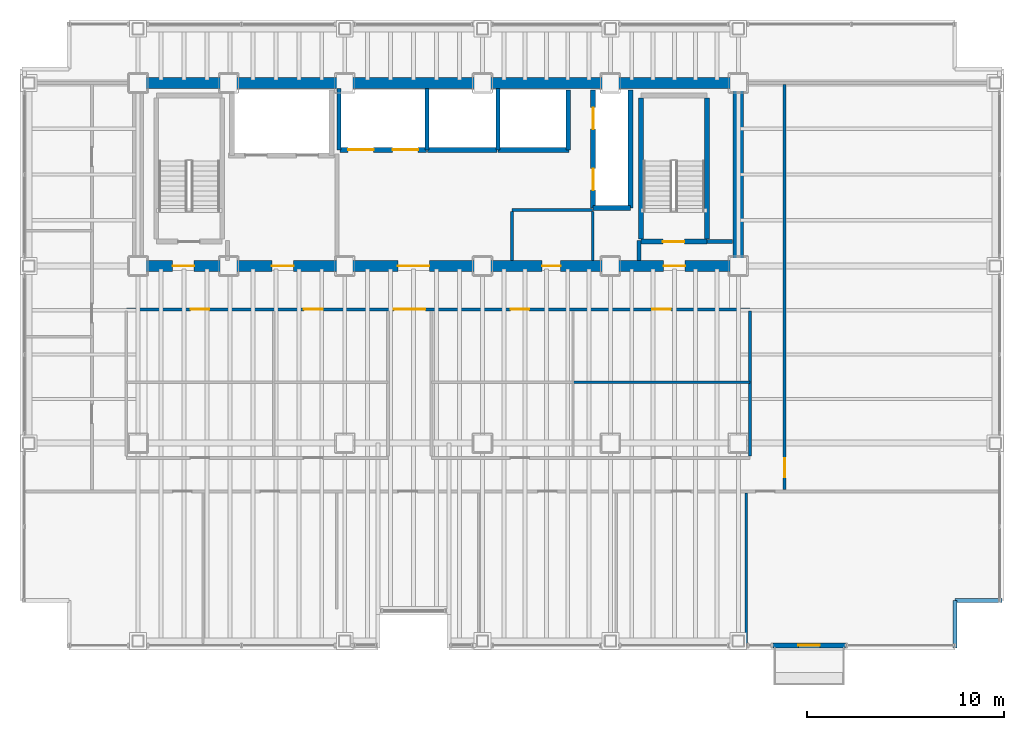
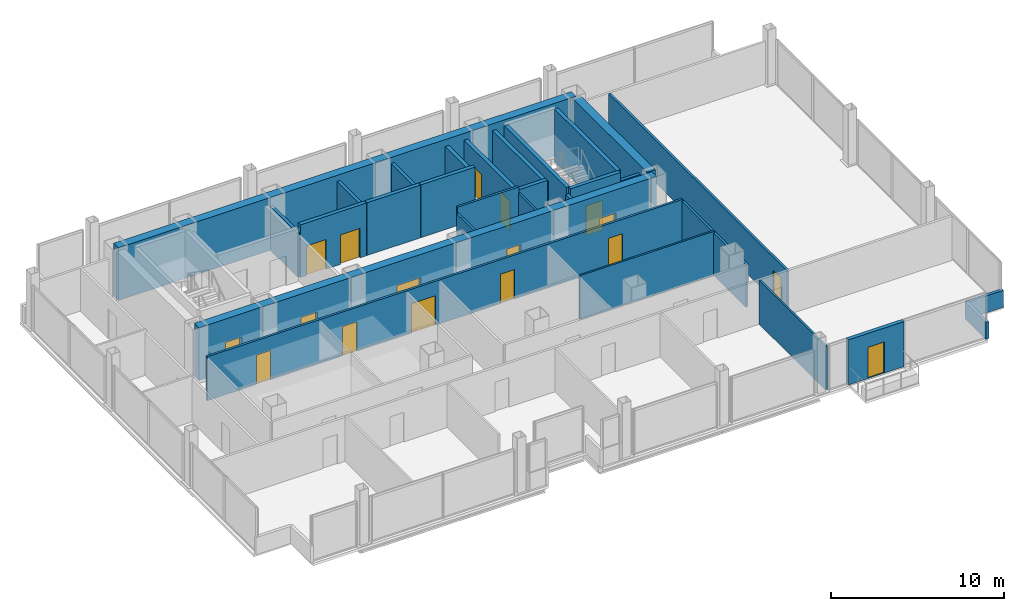
# One storey, part 19 of 22: 29 walls, 17 doors, 17 openings.
"""IFC4 building model written with IfcOpenShell, lengths in metres."""

from ifc_helpers import new_model, si_unit, direction, frame, frame_2d, origin, place, context, subcontext, project, spatial, rectangle, extrude, material, layer, layer_set, type_object, element, fill, save


model = new_model("IFC4")

# Units and contexts
model_context = context("Model", 3, precision=1e-05, world=origin(), true_north=direction((0.0, 1.0)))
body_context = subcontext(model_context, "Body", "Model", "MODEL_VIEW")
ifc_project = project(units=[si_unit("LENGTHUNIT", "METRE"), si_unit("AREAUNIT", "SQUARE_METRE"), si_unit("VOLUMEUNIT", "CUBIC_METRE"), si_unit("PLANEANGLEUNIT", "RADIAN"), si_unit("MASSUNIT", "GRAM", prefix="KILO")], contexts=[model_context])

# Site, building, storey
site_placement = place(None, origin())
site = spatial("IfcSite", under=ifc_project, at=site_placement, CompositionType="ELEMENT")
building_placement = place(site_placement, origin())
building = spatial("IfcBuilding", under=site, at=building_placement, Name="Noeulbin Bourse Tower", CompositionType="ELEMENT")
storey_placement = place(building_placement, frame((0.0, 0.0, 88.89990234375)))
storey = spatial("IfcBuildingStorey", under=building, at=storey_placement, Name="L22", CompositionType="ELEMENT", Elevation=88.89990234375)

# Wall, openings, doors
ifc_material_1 = material(Name="Concrete C60/75", Category="concrete")
ifc_layer_1 = layer(ifc_material_1, 0.550048828125)
ifc_layer_set_1 = layer_set([ifc_layer_1], Name="Concrete C60/75")
wall_type_1 = type_object("IfcWallType", Name="WAL-CORE-550", PredefinedType="SHEAR", material=ifc_layer_set_1)
wall_1_placement = place(storey_placement, frame((13.5, 29.0, 0.0), z_axis=(0.0, 0.0, 1.0), x_axis=(1.0, 0.0, 0.0)))
wall_1 = element("IfcWall", 1, at=wall_1_placement, inside=storey, type_object=wall_type_1, Name="Rear Core South Shear Wall L22", PredefinedType="SHEAR", context=body_context, shape_type="SweptSolid", body=[
    extrude(rectangle(XDim=30.5, YDim=0.550048828125, at=frame_2d((15.25, 0.0))), origin(), (0.0, 0.0, 1.0), 3.72021484375),
])
opening_1_placement = place(wall_1_placement, frame((1.75, 0.0, 0.0)))
opening_1 = element("IfcOpeningElement", 2, at=opening_1_placement, cuts=wall_1, Name="Opening FD-11", PredefinedType="OPENING", context=body_context, shape_type="SweptSolid", body=[
    extrude(rectangle(XDim=1.10009765625, YDim=2.080078125, at=frame_2d((0.550048828125, 1.0400390625))), frame((0.0, 0.284912109375, 0.0), z_axis=(0.0, -1.0, 0.0), x_axis=(1.0, 0.0, 0.0)), (0.0, 0.0, 1.0), 0.570068359375),
])
opening_2_placement = place(wall_1_placement, frame((26.699951171875, 0.0, 0.0)))
opening_2 = element("IfcOpeningElement", 3, at=opening_2_placement, cuts=wall_1, Name="Opening FD-11", PredefinedType="OPENING", context=body_context, shape_type="SweptSolid", body=[
    extrude(rectangle(XDim=1.10009765625, YDim=2.080078125, at=frame_2d((0.550048828125, 1.0400390625))), frame((0.0, 0.284912109375, 0.0), z_axis=(0.0, -1.0, 0.0), x_axis=(1.0, 0.0, 0.0)), (0.0, 0.0, 1.0), 0.570068359375),
])
opening_3_placement = place(wall_1_placement, frame((6.800048828125, 0.0, 0.0)))
opening_3 = element("IfcOpeningElement", 4, at=opening_3_placement, cuts=wall_1, Name="Opening FD-11", PredefinedType="OPENING", context=body_context, shape_type="SweptSolid", body=[
    extrude(rectangle(XDim=1.10009765625, YDim=2.080078125, at=frame_2d((0.550048828125, 1.0400390625))), frame((0.0, 0.284912109375, 0.0), z_axis=(0.0, -1.0, 0.0), x_axis=(1.0, 0.0, 0.0)), (0.0, 0.0, 1.0), 0.570068359375),
])
opening_4_placement = place(wall_1_placement, frame((13.199951171875, 0.0, 0.0)))
opening_4 = element("IfcOpeningElement", 5, at=opening_4_placement, cuts=wall_1, Name="Opening ID-16", PredefinedType="OPENING", context=body_context, shape_type="SweptSolid", body=[
    extrude(rectangle(XDim=1.60009765625, YDim=2.080078125, at=frame_2d((0.800048828125, 1.0400390625))), frame((0.0, 0.284912109375, 0.0), z_axis=(0.0, -1.0, 0.0), x_axis=(1.0, 0.0, 0.0)), (0.0, 0.0, 1.0), 0.570068359375),
])
opening_5_placement = place(wall_1_placement, frame((20.52490234375, 0.0, 0.0)))
opening_5 = element("IfcOpeningElement", 6, at=opening_5_placement, cuts=wall_1, Name="Opening ID-09", PredefinedType="OPENING", context=body_context, shape_type="SweptSolid", body=[
    extrude(rectangle(XDim=0.949951171875, YDim=2.080078125, at=frame_2d((0.47509765625, 1.0400390625))), frame((0.0, 0.284912109375, 0.0), z_axis=(0.0, -1.0, 0.0), x_axis=(1.0, 0.0, 0.0)), (0.0, 0.0, 1.0), 0.570068359375),
])
ifc_material_2 = material(Name="Acoustic Glazed Aluminium", Category="aluminium")
door_type_1 = type_object("IfcDoorType", Name="DR-DBL-1600", OperationType="DOUBLE_DOOR_SINGLE_SWING", PredefinedType="DOOR", material=ifc_material_2)
door_1_placement = place(opening_4_placement, origin())
door_1 = element("IfcDoor", 7, at=door_1_placement, inside=storey, type_object=door_type_1, Name="Passenger Lift Lobby Portal L22", OperationType="DOUBLE_DOOR_SINGLE_SWING", OverallHeight=2.080078125, OverallWidth=1.60009765625, PredefinedType="DOOR", context=body_context, shape_type="SweptSolid", body=[
    extrude(rectangle(XDim=1.60009765625, YDim=2.080078125, at=frame_2d((0.800048828125, 1.0400390625))), frame((0.0, 0.02490234375, 0.0), z_axis=(0.0, -1.0, 0.0), x_axis=(1.0, 0.0, 0.0)), (0.0, 0.0, 1.0), 0.050048828125),
])
fill(opening_4, door_1)
ifc_material_3 = material(Name="Fire-Rated Insulated Steel", Category="steel")
door_type_2 = type_object("IfcDoorType", Name="DR-FD60-1100", OperationType="SINGLE_SWING_LEFT", PredefinedType="DOOR", material=ifc_material_3)
door_2_placement = place(opening_1_placement, origin())
door_2 = element("IfcDoor", 8, at=door_2_placement, inside=storey, type_object=door_type_2, Name="West Stair Lobby Door L22", OperationType="SINGLE_SWING_LEFT", OverallHeight=2.080078125, OverallWidth=1.10009765625, PredefinedType="DOOR", context=body_context, shape_type="SweptSolid", body=[
    extrude(rectangle(XDim=1.10009765625, YDim=2.080078125, at=frame_2d((0.550048828125, 1.0400390625))), frame((0.0, 0.02490234375, 0.0), z_axis=(0.0, -1.0, 0.0), x_axis=(1.0, 0.0, 0.0)), (0.0, 0.0, 1.0), 0.050048828125),
])
fill(opening_1, door_2)
door_3_placement = place(opening_2_placement, origin())
door_3 = element("IfcDoor", 9, at=door_3_placement, inside=storey, type_object=door_type_2, Name="East Stair Lobby Door L22", OperationType="SINGLE_SWING_RIGHT", OverallHeight=2.080078125, OverallWidth=1.10009765625, PredefinedType="DOOR", context=body_context, shape_type="SweptSolid", body=[
    extrude(rectangle(XDim=1.10009765625, YDim=2.080078125, at=frame_2d((0.550048828125, 1.0400390625))), frame((0.0, 0.02490234375, 0.0), z_axis=(0.0, -1.0, 0.0), x_axis=(1.0, 0.0, 0.0)), (0.0, 0.0, 1.0), 0.050048828125),
])
fill(opening_2, door_3)
door_4_placement = place(opening_3_placement, origin())
door_4 = element("IfcDoor", 10, at=door_4_placement, inside=storey, type_object=door_type_2, Name="Firefighting Lobby Door L22", OperationType="SINGLE_SWING_LEFT", OverallHeight=2.080078125, OverallWidth=1.10009765625, PredefinedType="DOOR", context=body_context, shape_type="SweptSolid", body=[
    extrude(rectangle(XDim=1.10009765625, YDim=2.080078125, at=frame_2d((0.550048828125, 1.0400390625))), frame((0.0, 0.02490234375, 0.0), z_axis=(0.0, -1.0, 0.0), x_axis=(1.0, 0.0, 0.0)), (0.0, 0.0, 1.0), 0.050048828125),
])
fill(opening_3, door_4)
ifc_material_4 = material(Name="Acoustic Solid-Core Timber", Category="wood")
door_type_3 = type_object("IfcDoorType", Name="DR-SINGLE-950", OperationType="SINGLE_SWING_LEFT", PredefinedType="DOOR", material=ifc_material_4)
door_5_placement = place(opening_5_placement, origin())
door_5 = element("IfcDoor", 11, at=door_5_placement, inside=storey, type_object=door_type_3, Name="Interior Door L22-05", OperationType="SINGLE_SWING_LEFT", OverallHeight=2.080078125, OverallWidth=0.949951171875, PredefinedType="DOOR", context=body_context, shape_type="SweptSolid", body=[
    extrude(rectangle(XDim=0.949951171875, YDim=2.080078125, at=frame_2d((0.47509765625, 1.0400390625))), frame((0.0, 0.02490234375, 0.0), z_axis=(0.0, -1.0, 0.0), x_axis=(1.0, 0.0, 0.0)), (0.0, 0.0, 1.0), 0.050048828125),
])
fill(opening_5, door_5)

# Walls
wall_2_placement = place(storey_placement, frame((13.5, 38.300048828125, 0.0), z_axis=(0.0, 0.0, 1.0), x_axis=(1.0, 0.0, 0.0)))
element("IfcWall", 12, at=wall_2_placement, inside=storey, type_object=wall_type_1, Name="Rear Core North Shear Wall L22", PredefinedType="SHEAR", context=body_context, shape_type="SweptSolid", body=[
    extrude(rectangle(XDim=30.5, YDim=0.550048828125, at=frame_2d((15.25, 0.0))), origin(), (0.0, 0.0, 1.0), 3.72021484375),
])
wall_3_placement = place(storey_placement, frame((44.0, 29.35009765625, 0.0), z_axis=(0.0, 0.0, 1.0), x_axis=(0.0, 1.0, 0.0)))
element("IfcWall", 13, at=wall_3_placement, inside=storey, type_object=wall_type_1, Name="Rear Core East Shear Wall L22", PredefinedType="SHEAR", context=body_context, shape_type="SweptSolid", body=[
    extrude(rectangle(XDim=8.599853515625, YDim=0.550048828125, at=frame_2d((4.2998046875, 0.0))), origin(), (0.0, 0.0, 1.0), 3.72021484375),
])

# Wall, opening, door
ifc_material_5 = material(Name="Precast Concrete C40/50", Category="concrete")
ifc_layer_2 = layer(ifc_material_5, 0.25)
ifc_layer_set_2 = layer_set([ifc_layer_2], Name="Precast Concrete C40/50")
wall_type_2 = type_object("IfcWallType", Name="WAL-EXT-250", PredefinedType="STANDARD", material=ifc_layer_set_2)
wall_4_placement = place(storey_placement, frame((45.75, 9.719970703125, 0.0), z_axis=(0.0, 0.0, 1.0), x_axis=(1.0, 0.0, 0.0)))
wall_4 = element("IfcWall", 14, at=wall_4_placement, inside=storey, type_object=wall_type_2, Name="Balcony Threshold Wall L22", PredefinedType="STANDARD", context=body_context, shape_type="SweptSolid", body=[
    extrude(rectangle(XDim=3.699951171875, YDim=0.25, at=frame_2d((1.85009765625, 0.0))), origin(), (0.0, 0.0, 1.0), 3.18017578125),
])
opening_6_placement = place(wall_4_placement, frame((1.300048828125, 0.0, 0.0)))
opening_6 = element("IfcOpeningElement", 15, at=opening_6_placement, cuts=wall_4, Name="Opening BD-11", PredefinedType="OPENING", context=body_context, shape_type="SweptSolid", body=[
    extrude(rectangle(XDim=1.10009765625, YDim=2.199951171875, at=frame_2d((0.550048828125, 1.10009765625))), frame((0.0, 0.135009765625, 0.0), z_axis=(0.0, -1.0, 0.0), x_axis=(1.0, 0.0, 0.0)), (0.0, 0.0, 1.0), 0.27001953125),
])
ifc_material_6 = material(Name="Thermally Broken Aluminium Framed Glass", Category="aluminium")
door_type_4 = type_object("IfcDoorType", Name="DR-BAL-1100", OperationType="SINGLE_SWING_LEFT", PredefinedType="DOOR", material=ifc_material_6)
door_6_placement = place(opening_6_placement, origin())
door_6 = element("IfcDoor", 16, at=door_6_placement, inside=storey, type_object=door_type_4, Name="Tree-Balcony Access Door BD-L22", OperationType="SINGLE_SWING_RIGHT", OverallHeight=2.199951171875, OverallWidth=1.10009765625, PredefinedType="DOOR", context=body_context, shape_type="SweptSolid", body=[
    extrude(rectangle(XDim=1.10009765625, YDim=2.199951171875, at=frame_2d((0.550048828125, 1.10009765625))), frame((0.0, 0.02490234375, 0.0), z_axis=(0.0, -1.0, 0.0), x_axis=(1.0, 0.0, 0.0)), (0.0, 0.0, 1.0), 0.050048828125),
])
fill(opening_6, door_6)

# Walls
ifc_material_7 = material(Name="Concrete C40/50", Category="concrete")
ifc_layer_3 = layer(ifc_material_7, 0.199951171875)
ifc_layer_set_3 = layer_set([ifc_layer_3], Name="Concrete C40/50")
wall_type_3 = type_object("IfcWallType", Name="WAL-FIRE-200", PredefinedType="STANDARD", material=ifc_layer_set_3)
wall_5_placement = place(storey_placement, frame((42.39990234375, 30.239990234375, 0.0), z_axis=(0.0, 0.0, 1.0), x_axis=(1.0, 0.0, 0.0)))
element("IfcWall", 17, at=wall_5_placement, inside=storey, type_object=wall_type_3, Name="Interior Partition Wall L22-01", PredefinedType="STANDARD", context=body_context, shape_type="SweptSolid", body=[
    extrude(rectangle(XDim=1.315185546875, YDim=0.199951171875, at=frame_2d((0.65771484375, 0.0))), origin(), (0.0, 0.0, 1.0), 3.10009765625),
])
wall_6_placement = place(storey_placement, frame((38.949951171875, 29.284912109375, 0.0), z_axis=(0.0, 0.0, 1.0), x_axis=(0.0, 1.0, 0.0)))
element("IfcWall", 18, at=wall_6_placement, inside=storey, type_object=wall_type_3, Name="Interior Partition Wall L22-16", PredefinedType="STANDARD", context=body_context, shape_type="SweptSolid", body=[
    extrude(rectangle(XDim=1.01513671875, YDim=0.199951171875, at=frame_2d((0.507568359375, 0.0))), origin(), (0.0, 0.0, 1.0), 3.300048828125),
])
ifc_layer_4 = layer(ifc_material_7, 0.199951171875)
ifc_layer_set_4 = layer_set([ifc_layer_4], Name="Concrete C40/50")
wall_type_4 = type_object("IfcWallType", Name="WAL-PAR-200", PredefinedType="PARAPET", material=ifc_layer_set_4)
for number, where, z_axis, x_axis, name in (
    (19, (55.0, 9.60009765625, 0.0), (0.0, 0.0, 1.0), (0.0, 1.0, 0.0), "Corner Notch Parapet L22-SE1"),
    (20, (55.0, 12.0, 0.0), (0.0, 0.0, 1.0), (1.0, 0.0, 0.0), "Corner Notch Parapet L22-SE2"),
):
    element("IfcWall", number, at=place(storey_placement, frame(where, z_axis=z_axis, x_axis=x_axis)), inside=storey, type_object=wall_type_4, Name=name, PredefinedType="PARAPET", context=body_context, shape_type="SweptSolid", body=[
        extrude(rectangle(XDim=2.39990234375, YDim=0.199951171875, at=frame_2d((1.199951171875, 0.0))), origin(), (0.0, 0.0, 1.0), 1.2001953125),
    ])
ifc_material_8 = material(Name="Steel Stud Gypsum Partition", Category="steel")
ifc_layer_5 = layer(ifc_material_8, 0.1201171875)
ifc_layer_set_5 = layer_set([ifc_layer_5], Name="Steel Stud Gypsum Partition")
wall_type_5 = type_object("IfcWallType", Name="WAL-PRT-120", PredefinedType="PARTITIONING", material=ifc_layer_set_5)
wall_7_placement = place(storey_placement, frame((35.60009765625, 23.10009765625, 0.0), z_axis=(0.0, 0.0, 1.0), x_axis=(1.0, 0.0, 0.0)))
element("IfcWall", 21, at=wall_7_placement, inside=storey, type_object=wall_type_5, Name="Interior Partition Wall L22-12", PredefinedType="PARTITIONING", context=body_context, shape_type="SweptSolid", body=[
    extrude(rectangle(XDim=9.0, YDim=0.1201171875, at=frame_2d((4.5, 0.0))), origin(), (0.0, 0.0, 1.0), 3.10009765625),
])
wall_8_placement = place(storey_placement, frame((36.60009765625, 29.284912109375, 0.0), z_axis=(0.0, 0.0, 1.0), x_axis=(0.0, 1.0, 0.0)))
element("IfcWall", 22, at=wall_8_placement, inside=storey, type_object=wall_type_5, Name="Interior Partition Wall L22-19", PredefinedType="PARTITIONING", context=body_context, shape_type="SweptSolid", body=[
    extrude(rectangle(XDim=2.47998046875, YDim=0.1201171875, at=frame_2d((1.239990234375, 0.0))), origin(), (0.0, 0.0, 1.0), 3.300048828125),
])
wall_9_placement = place(storey_placement, frame((44.39990234375, 9.81005859375, 0.0), z_axis=(0.0, 0.0, 1.0), x_axis=(0.0, 1.0, 0.0)))
element("IfcWall", 23, at=wall_9_placement, inside=storey, type_object=wall_type_5, Name="Interior Partition Wall L22-30", PredefinedType="PARTITIONING", context=body_context, shape_type="SweptSolid", body=[
    extrude(rectangle(XDim=7.655029296875, YDim=0.1201171875, at=frame_2d((3.82763671875, 0.0))), origin(), (0.0, 0.0, 1.0), 3.10009765625),
])
ifc_material_9 = material(Name="Steel Stud Acoustic Gypsum Board", Category="steel")
ifc_layer_6 = layer(ifc_material_9, 0.14990234375)
ifc_layer_set_6 = layer_set([ifc_layer_6], Name="Steel Stud Acoustic Gypsum Board")
wall_type_6 = type_object("IfcWallType", Name="WAL-PRT-150", PredefinedType="PARTITIONING", material=ifc_layer_set_6)
wall_10_placement = place(storey_placement, frame((32.5, 31.85009765625, 0.0), z_axis=(0.0, 0.0, 1.0), x_axis=(1.0, 0.0, 0.0)))
element("IfcWall", 24, at=wall_10_placement, inside=storey, type_object=wall_type_6, Name="Interior Partition Wall L22-02", PredefinedType="PARTITIONING", context=body_context, shape_type="SweptSolid", body=[
    extrude(rectangle(XDim=4.10009765625, YDim=0.14990234375, at=frame_2d((2.050048828125, 0.0))), origin(), (0.0, 0.0, 1.0), 3.72021484375),
])

# Wall, openings, doors
wall_11_placement = place(storey_placement, frame((12.89990234375, 26.800048828125, 0.0), z_axis=(0.0, 0.0, 1.0), x_axis=(1.0, 0.0, 0.0)))
wall_11 = element("IfcWall", 25, at=wall_11_placement, inside=storey, type_object=wall_type_6, Name="Interior Partition Wall L22-03", PredefinedType="PARTITIONING", context=body_context, shape_type="SweptSolid", body=[
    extrude(rectangle(XDim=31.7001953125, YDim=0.14990234375, at=frame_2d((15.85009765625, 0.0))), origin(), (0.0, 0.0, 1.0), 3.10009765625),
])
opening_7_placement = place(wall_11_placement, frame((13.60009765625, 0.0, 0.0)))
opening_7 = element("IfcOpeningElement", 26, at=opening_7_placement, cuts=wall_11, Name="Opening ID-16", PredefinedType="OPENING", context=body_context, shape_type="SweptSolid", body=[
    extrude(rectangle(XDim=1.60009765625, YDim=2.080078125, at=frame_2d((0.800048828125, 1.0400390625))), frame((0.0, 0.0849609375, 0.0), z_axis=(0.0, -1.0, 0.0), x_axis=(1.0, 0.0, 0.0)), (0.0, 0.0, 1.0), 0.169921875),
])
opening_8_placement = place(wall_11_placement, frame((3.27490234375, 0.0, 0.0)))
opening_8 = element("IfcOpeningElement", 27, at=opening_8_placement, cuts=wall_11, Name="Opening ID-09", PredefinedType="OPENING", context=body_context, shape_type="SweptSolid", body=[
    extrude(rectangle(XDim=0.949951171875, YDim=2.080078125, at=frame_2d((0.47509765625, 1.0400390625))), frame((0.0, 0.0849609375, 0.0), z_axis=(0.0, -1.0, 0.0), x_axis=(1.0, 0.0, 0.0)), (0.0, 0.0, 1.0), 0.169921875),
])
opening_9_placement = place(wall_11_placement, frame((9.02490234375, 0.0, 0.0)))
opening_9 = element("IfcOpeningElement", 28, at=opening_9_placement, cuts=wall_11, Name="Opening ID-09", PredefinedType="OPENING", context=body_context, shape_type="SweptSolid", body=[
    extrude(rectangle(XDim=0.949951171875, YDim=2.080078125, at=frame_2d((0.47509765625, 1.0400390625))), frame((0.0, 0.0849609375, 0.0), z_axis=(0.0, -1.0, 0.0), x_axis=(1.0, 0.0, 0.0)), (0.0, 0.0, 1.0), 0.169921875),
])
opening_10_placement = place(wall_11_placement, frame((19.52490234375, 0.0, 0.0)))
opening_10 = element("IfcOpeningElement", 29, at=opening_10_placement, cuts=wall_11, Name="Opening ID-09", PredefinedType="OPENING", context=body_context, shape_type="SweptSolid", body=[
    extrude(rectangle(XDim=0.949951171875, YDim=2.080078125, at=frame_2d((0.47509765625, 1.0400390625))), frame((0.0, 0.0849609375, 0.0), z_axis=(0.0, -1.0, 0.0), x_axis=(1.0, 0.0, 0.0)), (0.0, 0.0, 1.0), 0.169921875),
])
opening_11_placement = place(wall_11_placement, frame((26.72509765625, 0.0, 0.0)))
opening_11 = element("IfcOpeningElement", 30, at=opening_11_placement, cuts=wall_11, Name="Opening ID-09", PredefinedType="OPENING", context=body_context, shape_type="SweptSolid", body=[
    extrude(rectangle(XDim=0.949951171875, YDim=2.080078125, at=frame_2d((0.47509765625, 1.0400390625))), frame((0.0, 0.0849609375, 0.0), z_axis=(0.0, -1.0, 0.0), x_axis=(1.0, 0.0, 0.0)), (0.0, 0.0, 1.0), 0.169921875),
])
door_7_placement = place(opening_7_placement, origin())
door_7 = element("IfcDoor", 31, at=door_7_placement, inside=storey, type_object=door_type_1, Name="Interior Door L22-06", OperationType="DOUBLE_DOOR_SINGLE_SWING", OverallHeight=2.080078125, OverallWidth=1.60009765625, PredefinedType="DOOR", context=body_context, shape_type="SweptSolid", body=[
    extrude(rectangle(XDim=1.60009765625, YDim=2.080078125, at=frame_2d((0.800048828125, 1.0400390625))), frame((0.0, 0.02490234375, 0.0), z_axis=(0.0, -1.0, 0.0), x_axis=(1.0, 0.0, 0.0)), (0.0, 0.0, 1.0), 0.050048828125),
])
fill(opening_7, door_7)
door_8_placement = place(opening_8_placement, origin())
door_8 = element("IfcDoor", 32, at=door_8_placement, inside=storey, type_object=door_type_3, Name="Interior Door L22-13", OperationType="SINGLE_SWING_LEFT", OverallHeight=2.080078125, OverallWidth=0.949951171875, PredefinedType="DOOR", context=body_context, shape_type="SweptSolid", body=[
    extrude(rectangle(XDim=0.949951171875, YDim=2.080078125, at=frame_2d((0.47509765625, 1.0400390625))), frame((0.0, 0.02490234375, 0.0), z_axis=(0.0, -1.0, 0.0), x_axis=(1.0, 0.0, 0.0)), (0.0, 0.0, 1.0), 0.050048828125),
])
fill(opening_8, door_8)
door_9_placement = place(opening_9_placement, origin())
door_9 = element("IfcDoor", 33, at=door_9_placement, inside=storey, type_object=door_type_3, Name="Interior Door L22-15", OperationType="SINGLE_SWING_LEFT", OverallHeight=2.080078125, OverallWidth=0.949951171875, PredefinedType="DOOR", context=body_context, shape_type="SweptSolid", body=[
    extrude(rectangle(XDim=0.949951171875, YDim=2.080078125, at=frame_2d((0.47509765625, 1.0400390625))), frame((0.0, 0.02490234375, 0.0), z_axis=(0.0, -1.0, 0.0), x_axis=(1.0, 0.0, 0.0)), (0.0, 0.0, 1.0), 0.050048828125),
])
fill(opening_9, door_9)
door_10_placement = place(opening_10_placement, origin())
door_10 = element("IfcDoor", 34, at=door_10_placement, inside=storey, type_object=door_type_3, Name="Interior Door L22-17", OperationType="SINGLE_SWING_LEFT", OverallHeight=2.080078125, OverallWidth=0.949951171875, PredefinedType="DOOR", context=body_context, shape_type="SweptSolid", body=[
    extrude(rectangle(XDim=0.949951171875, YDim=2.080078125, at=frame_2d((0.47509765625, 1.0400390625))), frame((0.0, 0.02490234375, 0.0), z_axis=(0.0, -1.0, 0.0), x_axis=(1.0, 0.0, 0.0)), (0.0, 0.0, 1.0), 0.050048828125),
])
fill(opening_10, door_10)
door_11_placement = place(opening_11_placement, origin())
door_11 = element("IfcDoor", 35, at=door_11_placement, inside=storey, type_object=door_type_3, Name="Interior Door L22-19", OperationType="SINGLE_SWING_LEFT", OverallHeight=2.080078125, OverallWidth=0.949951171875, PredefinedType="DOOR", context=body_context, shape_type="SweptSolid", body=[
    extrude(rectangle(XDim=0.949951171875, YDim=2.080078125, at=frame_2d((0.47509765625, 1.0400390625))), frame((0.0, 0.02490234375, 0.0), z_axis=(0.0, -1.0, 0.0), x_axis=(1.0, 0.0, 0.0)), (0.0, 0.0, 1.0), 0.050048828125),
])
fill(opening_11, door_11)

# Wall
wall_12_placement = place(storey_placement, frame((32.5, 29.284912109375, 0.0), z_axis=(0.0, 0.0, 1.0), x_axis=(0.0, 1.0, 0.0)))
element("IfcWall", 36, at=wall_12_placement, inside=storey, type_object=wall_type_6, Name="Interior Partition Wall L22-18", PredefinedType="PARTITIONING", context=body_context, shape_type="SweptSolid", body=[
    extrude(rectangle(XDim=2.47998046875, YDim=0.14990234375, at=frame_2d((1.239990234375, 0.0))), origin(), (0.0, 0.0, 1.0), 3.300048828125),
])

# Wall, opening, door
wall_13_placement = place(storey_placement, frame((46.35009765625, 17.635009765625, 0.0), z_axis=(0.0, 0.0, 1.0), x_axis=(0.0, 1.0, 0.0)))
wall_13 = element("IfcWall", 37, at=wall_13_placement, inside=storey, type_object=wall_type_6, Name="Interior Partition Wall L22-24", PredefinedType="PARTITIONING", context=body_context, shape_type="SweptSolid", body=[
    extrude(rectangle(XDim=20.580078125, YDim=0.14990234375, at=frame_2d((10.2900390625, 0.0))), origin(), (0.0, 0.0, 1.0), 3.0),
])
opening_12_placement = place(wall_13_placement, frame((0.639892578125, 0.0, 0.0)))
opening_12 = element("IfcOpeningElement", 38, at=opening_12_placement, cuts=wall_13, Name="Opening ID-09", PredefinedType="OPENING", context=body_context, shape_type="SweptSolid", body=[
    extrude(rectangle(XDim=0.949951171875, YDim=2.080078125, at=frame_2d((0.47509765625, 1.0400390625))), frame((0.0, 0.0849609375, 0.0), z_axis=(0.0, -1.0, 0.0), x_axis=(1.0, 0.0, 0.0)), (0.0, 0.0, 1.0), 0.169921875),
])
door_12_placement = place(opening_12_placement, origin())
door_12 = element("IfcDoor", 39, at=door_12_placement, inside=storey, type_object=door_type_3, Name="Interior Door L22-24", OperationType="SINGLE_SWING_RIGHT", OverallHeight=2.080078125, OverallWidth=0.949951171875, PredefinedType="DOOR", context=body_context, shape_type="SweptSolid", body=[
    extrude(rectangle(XDim=0.949951171875, YDim=2.080078125, at=frame_2d((0.47509765625, 1.0400390625))), frame((0.0, 0.02490234375, 0.0), z_axis=(0.0, -1.0, 0.0), x_axis=(1.0, 0.0, 0.0)), (0.0, 0.0, 1.0), 0.050048828125),
])
fill(opening_12, door_12)

# Wall
wall_14_placement = place(storey_placement, frame((44.60009765625, 19.3349609375, 0.0), z_axis=(0.0, 0.0, 1.0), x_axis=(0.0, 1.0, 0.0)))
element("IfcWall", 40, at=wall_14_placement, inside=storey, type_object=wall_type_6, Name="Interior Partition Wall L22-25", PredefinedType="PARTITIONING", context=body_context, shape_type="SweptSolid", body=[
    extrude(rectangle(XDim=7.380126953125, YDim=0.14990234375, at=frame_2d((3.68994140625, 0.0))), origin(), (0.0, 0.0, 1.0), 3.0),
])

# Wall, opening, door
ifc_layer_7 = layer(ifc_material_7, 0.25)
ifc_layer_set_7 = layer_set([ifc_layer_7], Name="Concrete C40/50")
wall_type_7 = type_object("IfcWallType", Name="WAL-SHFT-250", PredefinedType="STANDARD", material=ifc_layer_set_7)
wall_15_placement = place(storey_placement, frame((39.06005859375, 30.235107421875, 0.0), z_axis=(0.0, 0.0, 1.0), x_axis=(1.0, 0.0, 0.0)))
wall_15 = element("IfcWall", 41, at=wall_15_placement, inside=storey, type_object=wall_type_7, Name="Stair ST-2 South Shaft Wall L22", PredefinedType="STANDARD", context=body_context, shape_type="SweptSolid", body=[
    extrude(rectangle(XDim=3.33984375, YDim=0.25, at=frame_2d((1.669921875, 0.0))), origin(), (0.0, 0.0, 1.0), 3.72021484375),
])
opening_13_placement = place(wall_15_placement, frame((1.10009765625, 0.0, 0.0)))
opening_13 = element("IfcOpeningElement", 42, at=opening_13_placement, cuts=wall_15, Name="Opening FD-11", PredefinedType="OPENING", context=body_context, shape_type="SweptSolid", body=[
    extrude(rectangle(XDim=1.10009765625, YDim=2.080078125, at=frame_2d((0.550048828125, 1.0400390625))), frame((0.0, 0.135009765625, 0.0), z_axis=(0.0, -1.0, 0.0), x_axis=(1.0, 0.0, 0.0)), (0.0, 0.0, 1.0), 0.27001953125),
])
door_13_placement = place(opening_13_placement, origin())
door_13 = element("IfcDoor", 43, at=door_13_placement, inside=storey, type_object=door_type_2, Name="Protected Stair Entry Door ST2-L22", OperationType="SINGLE_SWING_RIGHT", OverallHeight=2.080078125, OverallWidth=1.10009765625, PredefinedType="DOOR", context=body_context, shape_type="SweptSolid", body=[
    extrude(rectangle(XDim=1.10009765625, YDim=2.080078125, at=frame_2d((0.550048828125, 1.0400390625))), frame((0.0, 0.02490234375, 0.0), z_axis=(0.0, -1.0, 0.0), x_axis=(1.0, 0.0, 0.0)), (0.0, 0.0, 1.0), 0.050048828125),
])
fill(opening_13, door_13)

# Walls
for number, where, z_axis, x_axis, name in (
    (44, (39.054931640625, 30.360107421875, 0.0), (0.0, 0.0, 1.0), (0.0, 1.0, 0.0), "Stair ST-2 West Shaft Wall L22"),
    (45, (42.405029296875, 30.360107421875, 0.0), (0.0, 0.0, 1.0), (0.0, 1.0, 0.0), "Stair ST-2 East Shaft Wall L22"),
):
    element("IfcWall", number, at=place(storey_placement, frame(where, z_axis=z_axis, x_axis=x_axis)), inside=storey, type_object=wall_type_7, Name=name, PredefinedType="STANDARD", context=body_context, shape_type="SweptSolid", body=[
        extrude(rectangle(XDim=7.183837890625, YDim=0.25, at=frame_2d((3.591796875, 0.0))), origin(), (0.0, 0.0, 1.0), 3.72021484375),
    ])

# Wall, openings, doors
wall_16_placement = place(storey_placement, frame((36.6201171875, 31.949951171875, 0.0), z_axis=(0.0, 0.0, 1.0), x_axis=(0.0, 1.0, 0.0)))
wall_16 = element("IfcWall", 46, at=wall_16_placement, inside=storey, type_object=wall_type_7, Name="Service Lift Shaft Wall L22", PredefinedType="STANDARD", context=body_context, shape_type="SweptSolid", body=[
    extrude(rectangle(XDim=6.0, YDim=0.25, at=frame_2d((3.0, 0.0))), origin(), (0.0, 0.0, 1.0), 3.300048828125),
])
opening_14_placement = place(wall_16_placement, frame((0.89990234375, 0.0, 0.0)))
opening_14 = element("IfcOpeningElement", 47, at=opening_14_placement, cuts=wall_16, Name="Opening LD-11", PredefinedType="OPENING", context=body_context, shape_type="SweptSolid", body=[
    extrude(rectangle(XDim=1.10009765625, YDim=2.080078125, at=frame_2d((0.550048828125, 1.0400390625))), frame((0.0, 0.135009765625, 0.0), z_axis=(0.0, -1.0, 0.0), x_axis=(1.0, 0.0, 0.0)), (0.0, 0.0, 1.0), 0.27001953125),
])
opening_15_placement = place(wall_16_placement, frame((4.0, 0.0, 0.0)))
opening_15 = element("IfcOpeningElement", 48, at=opening_15_placement, cuts=wall_16, Name="Opening LD-11", PredefinedType="OPENING", context=body_context, shape_type="SweptSolid", body=[
    extrude(rectangle(XDim=1.10009765625, YDim=2.080078125, at=frame_2d((0.550048828125, 1.0400390625))), frame((0.0, 0.135009765625, 0.0), z_axis=(0.0, -1.0, 0.0), x_axis=(1.0, 0.0, 0.0)), (0.0, 0.0, 1.0), 0.27001953125),
])
ifc_material_10 = material(Name="Brushed Stainless Steel 316", Category="steel")
door_type_5 = type_object("IfcDoorType", Name="DR-LIFT-1100", OperationType="SLIDING_TO_LEFT", PredefinedType="DOOR", material=ifc_material_10)
door_14_placement = place(opening_14_placement, origin())
door_14 = element("IfcDoor", 49, at=door_14_placement, inside=storey, type_object=door_type_5, Name="Lift Landing Door LD-EL-01-L22", OperationType="SLIDING_TO_LEFT", OverallHeight=2.080078125, OverallWidth=1.10009765625, PredefinedType="DOOR", context=body_context, shape_type="SweptSolid", body=[
    extrude(rectangle(XDim=1.10009765625, YDim=2.080078125, at=frame_2d((0.550048828125, 1.0400390625))), frame((0.0, 0.02490234375, 0.0), z_axis=(0.0, -1.0, 0.0), x_axis=(1.0, 0.0, 0.0)), (0.0, 0.0, 1.0), 0.050048828125),
])
fill(opening_14, door_14)
door_15_placement = place(opening_15_placement, origin())
door_15 = element("IfcDoor", 50, at=door_15_placement, inside=storey, type_object=door_type_5, Name="Lift Landing Door LD-SV-01-L22", OperationType="SLIDING_TO_LEFT", OverallHeight=2.080078125, OverallWidth=1.10009765625, PredefinedType="DOOR", context=body_context, shape_type="SweptSolid", body=[
    extrude(rectangle(XDim=1.10009765625, YDim=2.080078125, at=frame_2d((0.550048828125, 1.0400390625))), frame((0.0, 0.02490234375, 0.0), z_axis=(0.0, -1.0, 0.0), x_axis=(1.0, 0.0, 0.0)), (0.0, 0.0, 1.0), 0.050048828125),
])
fill(opening_15, door_15)

# Walls
wall_17_placement = place(storey_placement, frame((38.52001953125, 31.949951171875, 0.0), z_axis=(0.0, 0.0, 1.0), x_axis=(0.0, 1.0, 0.0)))
element("IfcWall", 51, at=wall_17_placement, inside=storey, type_object=wall_type_7, Name="Service Lift East Shaft Wall L22", PredefinedType="STANDARD", context=body_context, shape_type="SweptSolid", body=[
    extrude(rectangle(XDim=6.0, YDim=0.25, at=frame_2d((3.0, 0.0))), origin(), (0.0, 0.0, 1.0), 3.300048828125),
])
wall_18_placement = place(storey_placement, frame((36.6201171875, 31.949951171875, 0.0), z_axis=(0.0, 0.0, 1.0), x_axis=(1.0, 0.0, 0.0)))
element("IfcWall", 52, at=wall_18_placement, inside=storey, type_object=wall_type_7, Name="Service Lift South Shaft Wall L22", PredefinedType="STANDARD", context=body_context, shape_type="SweptSolid", body=[
    extrude(rectangle(XDim=1.89990234375, YDim=0.25, at=frame_2d((0.949951171875, 0.0))), origin(), (0.0, 0.0, 1.0), 3.47998046875),
])
wall_19_placement = place(storey_placement, frame((35.360107421875, 34.89990234375, 0.0), z_axis=(0.0, 0.0, 1.0), x_axis=(0.0, 1.0, 0.0)))
element("IfcWall", 53, at=wall_19_placement, inside=storey, type_object=wall_type_7, Name="High-Rise Lift East Shaft Wall L22", PredefinedType="STANDARD", context=body_context, shape_type="SweptSolid", body=[
    extrude(rectangle(XDim=3.050048828125, YDim=0.25, at=frame_2d((1.52490234375, 0.0))), origin(), (0.0, 0.0, 1.0), 3.300048828125),
])

# Wall, openings, doors
wall_20_placement = place(storey_placement, frame((23.75, 34.89990234375, 0.0), z_axis=(0.0, 0.0, 1.0), x_axis=(1.0, 0.0, 0.0)))
wall_20 = element("IfcWall", 54, at=wall_20_placement, inside=storey, type_object=wall_type_7, Name="Low-Rise Lift Bank Front L22", PredefinedType="STANDARD", context=body_context, shape_type="SweptSolid", body=[
    extrude(rectangle(XDim=4.39990234375, YDim=0.25, at=frame_2d((2.199951171875, 0.0))), origin(), (0.0, 0.0, 1.0), 3.72021484375),
])
opening_16_placement = place(wall_20_placement, frame((0.419921875, 0.0, 0.0)))
opening_16 = element("IfcOpeningElement", 55, at=opening_16_placement, cuts=wall_20, Name="Opening LD-13", PredefinedType="OPENING", context=body_context, shape_type="SweptSolid", body=[
    extrude(rectangle(XDim=1.300048828125, YDim=2.080078125, at=frame_2d((0.64990234375, 1.0400390625))), frame((0.0, 0.135009765625, 0.0), z_axis=(0.0, -1.0, 0.0), x_axis=(1.0, 0.0, 0.0)), (0.0, 0.0, 1.0), 0.27001953125),
])
opening_17_placement = place(wall_20_placement, frame((2.679931640625, 0.0, 0.0)))
opening_17 = element("IfcOpeningElement", 56, at=opening_17_placement, cuts=wall_20, Name="Opening LD-13", PredefinedType="OPENING", context=body_context, shape_type="SweptSolid", body=[
    extrude(rectangle(XDim=1.300048828125, YDim=2.080078125, at=frame_2d((0.64990234375, 1.0400390625))), frame((0.0, 0.135009765625, 0.0), z_axis=(0.0, -1.0, 0.0), x_axis=(1.0, 0.0, 0.0)), (0.0, 0.0, 1.0), 0.27001953125),
])
door_type_6 = type_object("IfcDoorType", Name="DR-LIFT-1300", OperationType="DOUBLE_DOOR_SLIDING", PredefinedType="DOOR", material=ifc_material_10)
door_16_placement = place(opening_16_placement, origin())
door_16 = element("IfcDoor", 57, at=door_16_placement, inside=storey, type_object=door_type_6, Name="Lift Landing Door LD-PL-L1-L22", OperationType="DOUBLE_DOOR_SLIDING", OverallHeight=2.080078125, OverallWidth=1.300048828125, PredefinedType="DOOR", context=body_context, shape_type="SweptSolid", body=[
    extrude(rectangle(XDim=1.300048828125, YDim=2.080078125, at=frame_2d((0.64990234375, 1.0400390625))), frame((0.0, 0.02490234375, 0.0), z_axis=(0.0, -1.0, 0.0), x_axis=(1.0, 0.0, 0.0)), (0.0, 0.0, 1.0), 0.050048828125),
])
fill(opening_16, door_16)
door_17_placement = place(opening_17_placement, origin())
door_17 = element("IfcDoor", 58, at=door_17_placement, inside=storey, type_object=door_type_6, Name="Lift Landing Door LD-PL-L2-L22", OperationType="DOUBLE_DOOR_SLIDING", OverallHeight=2.080078125, OverallWidth=1.300048828125, PredefinedType="DOOR", context=body_context, shape_type="SweptSolid", body=[
    extrude(rectangle(XDim=1.300048828125, YDim=2.080078125, at=frame_2d((0.64990234375, 1.0400390625))), frame((0.0, 0.02490234375, 0.0), z_axis=(0.0, -1.0, 0.0), x_axis=(1.0, 0.0, 0.0)), (0.0, 0.0, 1.0), 0.050048828125),
])
fill(opening_17, door_17)

# Walls
wall_21_placement = place(storey_placement, frame((28.199951171875, 34.89990234375, 0.0), z_axis=(0.0, 0.0, 1.0), x_axis=(1.0, 0.0, 0.0)))
element("IfcWall", 59, at=wall_21_placement, inside=storey, type_object=wall_type_7, Name="Mid-Rise Lift Bank Front L22", PredefinedType="STANDARD", context=body_context, shape_type="SweptSolid", body=[
    extrude(rectangle(XDim=3.550048828125, YDim=0.25, at=frame_2d((1.77490234375, 0.0))), origin(), (0.0, 0.0, 1.0), 3.72021484375),
])
wall_22_placement = place(storey_placement, frame((31.800048828125, 34.89990234375, 0.0), z_axis=(0.0, 0.0, 1.0), x_axis=(1.0, 0.0, 0.0)))
element("IfcWall", 60, at=wall_22_placement, inside=storey, type_object=wall_type_7, Name="High-Rise Lift Bank Front L22", PredefinedType="STANDARD", context=body_context, shape_type="SweptSolid", body=[
    extrude(rectangle(XDim=3.599853515625, YDim=0.25, at=frame_2d((1.7998046875, 0.0))), origin(), (0.0, 0.0, 1.0), 3.72021484375),
])
wall_23_placement = place(storey_placement, frame((23.719970703125, 34.89990234375, 0.0), z_axis=(0.0, 0.0, 1.0), x_axis=(0.0, 1.0, 0.0)))
element("IfcWall", 61, at=wall_23_placement, inside=storey, type_object=wall_type_7, Name="Hoistway Side Shaft Wall L22-PLLW", PredefinedType="STANDARD", context=body_context, shape_type="SweptSolid", body=[
    extrude(rectangle(XDim=3.1201171875, YDim=0.199951171875, at=frame_2d((1.56005859375, 0.0))), origin(), (0.0, 0.0, 1.0), 3.10009765625),
])
for number, where, z_axis, x_axis, name in (
    (62, (28.179931640625, 34.89990234375, 0.0), (0.0, 0.0, 1.0), (0.0, 1.0, 0.0), "Hoistway Side Shaft Wall L22-PLMW"),
    (63, (31.780029296875, 34.89990234375, 0.0), (0.0, 0.0, 1.0), (0.0, 1.0, 0.0), "Hoistway Side Shaft Wall L22-PLHW"),
):
    element("IfcWall", number, at=place(storey_placement, frame(where, z_axis=z_axis, x_axis=x_axis)), inside=storey, type_object=wall_type_7, Name=name, PredefinedType="STANDARD", context=body_context, shape_type="SweptSolid", body=[
        extrude(rectangle(XDim=3.1201171875, YDim=0.199951171875, at=frame_2d((1.56005859375, 0.0))), origin(), (0.0, 0.0, 1.0), 3.300048828125),
    ])

save(model, "model.ifc")
